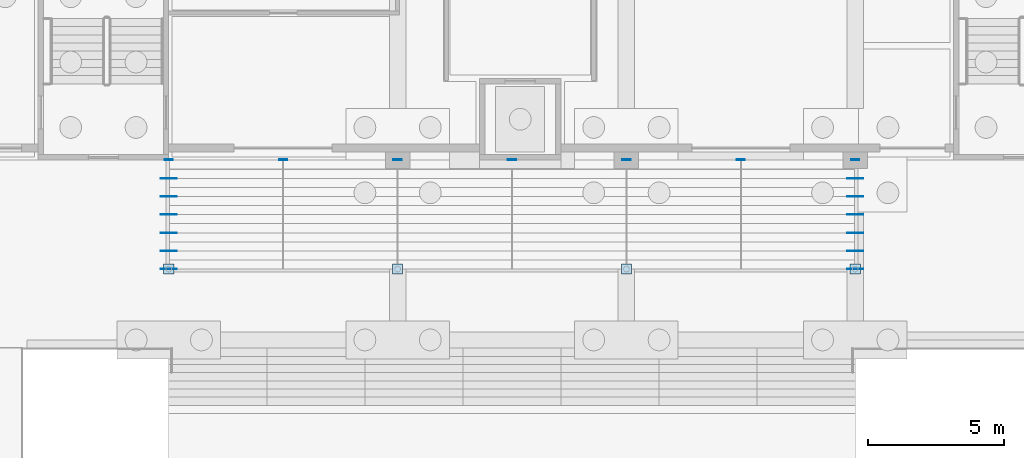
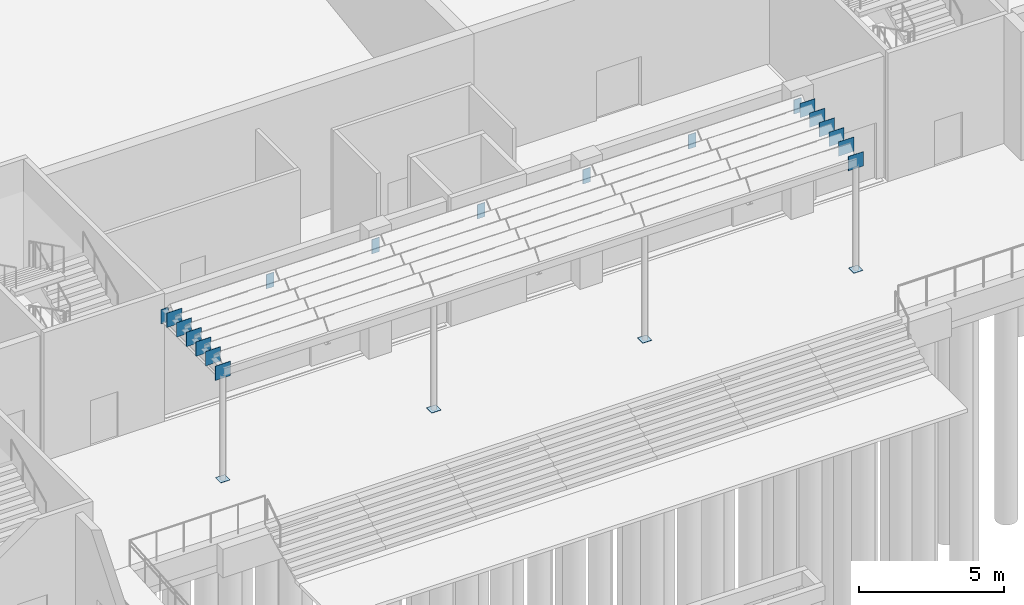
# One storey, part 41 of 129: 23 plates.
"""IFC4 building model written with IfcOpenShell, lengths in metres."""

from ifc_helpers import new_model, si_unit, direction, frame, origin, origin_2d, place, context, subcontext, project, spatial, rectangle, extrude, material, layer, layer_set, type_object, element, save


model = new_model("IFC4")

# Units and contexts
model_context = context("Model", 3, precision=1e-05, world=origin(), true_north=direction((0.0, 1.0)))
body_context = subcontext(model_context, "Body", "Model", "MODEL_VIEW")
ifc_project = project(units=[si_unit("LENGTHUNIT", "METRE"), si_unit("AREAUNIT", "SQUARE_METRE"), si_unit("VOLUMEUNIT", "CUBIC_METRE"), si_unit("PLANEANGLEUNIT", "RADIAN"), si_unit("MASSUNIT", "GRAM", prefix="KILO")], contexts=[model_context])

# Site, building, storey
site_placement = place(None, origin())
site = spatial("IfcSite", under=ifc_project, at=site_placement, CompositionType="ELEMENT")
building_placement = place(site_placement, origin())
building = spatial("IfcBuilding", under=site, at=building_placement, Name="Kiln Court Media Centre", CompositionType="ELEMENT")
storey_placement = place(building_placement, origin())
storey = spatial("IfcBuildingStorey", under=building, at=storey_placement, Name="L00", CompositionType="ELEMENT", Elevation=0.0)

# Plates
ifc_material_1 = material(Name="Steel ASTM A572 Gr 50", Category="steel")
ifc_layer_1 = layer(ifc_material_1, 0.02490234375)
ifc_layer_set_1 = layer_set([ifc_layer_1], Name="Steel ASTM A572 Gr 50 300x25x600 connection plate")
plate_type_1 = type_object("IfcPlateType", Name="Steel ASTM A572 Gr 50 300x25x600 connection plate", PredefinedType="USERDEFINED", material=ifc_layer_set_1)
for number, where, z_axis, x_axis, name in (
    (1, (67.199951171875, 25.21240234375, 4.14990234375), (0.0, 0.0, 1.0), (1.0, 0.0, 0.0), "canopy rib 1 wall connection plate"),
    (2, (71.39990234375, 25.21240234375, 4.14990234375), (0.0, 0.0, 1.0), (1.0, 0.0, 0.0), "canopy rib 2 wall connection plate"),
    (3, (75.60009765625, 25.21240234375, 4.14990234375), (0.0, 0.0, 1.0), (1.0, 0.0, 0.0), "canopy rib 3 wall connection plate"),
    (4, (79.800048828125, 25.21240234375, 4.14990234375), (0.0, 0.0, 1.0), (1.0, 0.0, 0.0), "canopy rib 4 wall connection plate"),
    (5, (84.0, 25.21240234375, 4.14990234375), (0.0, 0.0, 1.0), (1.0, 0.0, 0.0), "canopy rib 5 wall connection plate"),
    (6, (88.199951171875, 25.21240234375, 4.14990234375), (0.0, 0.0, 1.0), (1.0, 0.0, 0.0), "canopy rib 6 wall connection plate"),
    (7, (92.39990234375, 25.21240234375, 4.14990234375), (0.0, 0.0, 1.0), (1.0, 0.0, 0.0), "canopy rib 7 wall connection plate"),
):
    element("IfcPlate", number, at=place(storey_placement, frame(where, z_axis=z_axis, x_axis=x_axis)), inside=storey, type_object=plate_type_1, Name=name, ObjectType="CONNECTION PLATE", PredefinedType="USERDEFINED", context=body_context, shape_type="SweptSolid", body=[
        extrude(rectangle(XDim=0.300048828125, YDim=0.02490234375, at=origin_2d()), origin(), (0.0, 0.0, 1.0), 0.60009765625),
    ])
ifc_material_2 = material(Name="Steel ASTM A572 Gr 50", Category="steel")
ifc_layer_2 = layer(ifc_material_2, 0.011962890625)
ifc_layer_set_2 = layer_set([ifc_layer_2], Name="Steel ASTM A572 Gr 50 369x369x12 connection plate")
plate_type_2 = type_object("IfcPlateType", Name="Steel ASTM A572 Gr 50 369x369x12 connection plate", PredefinedType="USERDEFINED", material=ifc_layer_set_2)
for number, where, z_axis, x_axis, name in (
    (8, (67.199951171875, 21.199951171875, -0.001953125), (0.0, 0.0, 1.0), (1.0, 0.0, 0.0), "canopy tip column 1 base connection plate"),
    (9, (75.60009765625, 21.199951171875, -0.001953125), (0.0, 0.0, 1.0), (1.0, 0.0, 0.0), "canopy tip column 2 base connection plate"),
    (10, (84.0, 21.199951171875, -0.001953125), (0.0, 0.0, 1.0), (1.0, 0.0, 0.0), "canopy tip column 3 base connection plate"),
    (11, (92.39990234375, 21.199951171875, -0.001953125), (0.0, 0.0, 1.0), (1.0, 0.0, 0.0), "canopy tip column 4 base connection plate"),
):
    element("IfcPlate", number, at=place(storey_placement, frame(where, z_axis=z_axis, x_axis=x_axis)), inside=storey, type_object=plate_type_2, Name=name, ObjectType="CONNECTION PLATE", PredefinedType="USERDEFINED", context=body_context, shape_type="SweptSolid", body=[
        extrude(rectangle(XDim=0.368896484375, YDim=0.368896484375, at=origin_2d()), origin(), (0.0, 0.0, 1.0), 0.011962890625),
    ])
ifc_material_3 = material(Name="Steel ASTM A572 Gr 50", Category="steel")
ifc_layer_3 = layer(ifc_material_3, 0.01611328125)
ifc_layer_set_3 = layer_set([ifc_layer_3], Name="Steel ASTM A572 Gr 50 600x600x16 connection plate CN")
plate_type_3 = type_object("IfcPlateType", Name="Steel ASTM A572 Gr 50 600x600x16 connection plate CN", PredefinedType="USERDEFINED", material=ifc_layer_set_3)
for number, where, z_axis, x_axis, name in (
    (12, (67.199951171875, 21.199951171875, 4.25), (0.0, 0.0, 1.0), (1.0, 0.0, 0.0), "CN node connection plate"),
    (13, (67.199951171875, 21.86669921875, 4.4599609375), (0.0, 0.0, 1.0), (1.0, 0.0, 0.0), "CN node connection plate"),
    (14, (67.199951171875, 22.533203125, 4.4599609375), (0.0, 0.0, 1.0), (1.0, 0.0, 0.0), "CN node connection plate"),
    (15, (67.199951171875, 23.199951171875, 4.4599609375), (0.0, 0.0, 1.0), (1.0, 0.0, 0.0), "CN node connection plate"),
    (16, (67.199951171875, 23.86669921875, 4.4599609375), (0.0, 0.0, 1.0), (1.0, 0.0, 0.0), "CN node connection plate"),
    (17, (67.199951171875, 24.533203125, 4.4599609375), (0.0, 0.0, 1.0), (1.0, 0.0, 0.0), "CN node connection plate"),
    (18, (92.39990234375, 21.199951171875, 4.25), (0.0, 0.0, 1.0), (1.0, 0.0, 0.0), "CN node connection plate"),
    (19, (92.39990234375, 21.86669921875, 4.4599609375), (0.0, 0.0, 1.0), (1.0, 0.0, 0.0), "CN node connection plate"),
    (20, (92.39990234375, 22.533203125, 4.4599609375), (0.0, 0.0, 1.0), (1.0, 0.0, 0.0), "CN node connection plate"),
    (21, (92.39990234375, 23.199951171875, 4.4599609375), (0.0, 0.0, 1.0), (1.0, 0.0, 0.0), "CN node connection plate"),
    (22, (92.39990234375, 23.86669921875, 4.4599609375), (0.0, 0.0, 1.0), (1.0, 0.0, 0.0), "CN node connection plate"),
    (23, (92.39990234375, 24.533203125, 4.4599609375), (0.0, 0.0, 1.0), (1.0, 0.0, 0.0), "CN node connection plate"),
):
    element("IfcPlate", number, at=place(storey_placement, frame(where, z_axis=z_axis, x_axis=x_axis)), inside=storey, type_object=plate_type_3, Name=name, ObjectType="CONNECTION PLATE", PredefinedType="USERDEFINED", context=body_context, shape_type="SweptSolid", body=[
        extrude(rectangle(XDim=0.60009765625, YDim=0.01611328125, at=origin_2d()), origin(), (0.0, 0.0, 1.0), 0.60009765625),
    ])

save(model, "model.ifc")
